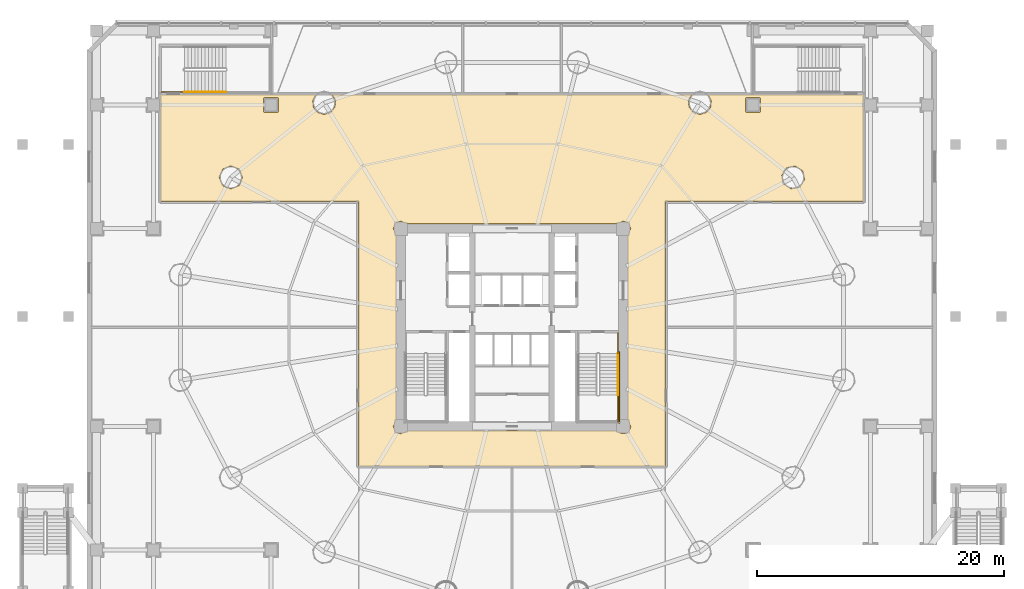
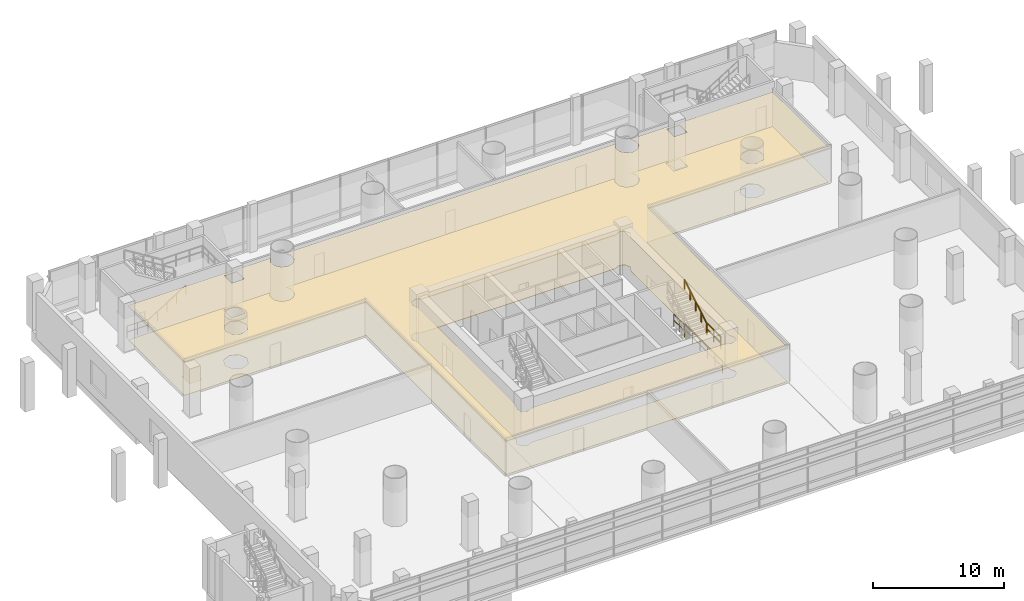
# One storey, part 30 of 36: 6 railings, 2 coverings.
"""IFC4 building model written with IfcOpenShell, lengths in metres."""

from ifc_helpers import new_model, si_unit, direction, frame, origin, origin_2d, place, context, subcontext, project, spatial, polyline, rectangle, outline, extrude, material, layer, layer_set, type_object, element, save


model = new_model("IFC4")

# Units and contexts
model_context = context("Model", 3, precision=1e-05, world=origin(), true_north=direction((-0.2419218956, 0.970295726276)))
body_context = subcontext(model_context, "Body", "Model", "MODEL_VIEW")
ifc_project = project(units=[si_unit("LENGTHUNIT", "METRE"), si_unit("AREAUNIT", "SQUARE_METRE"), si_unit("VOLUMEUNIT", "CUBIC_METRE"), si_unit("PLANEANGLEUNIT", "RADIAN"), si_unit("MASSUNIT", "GRAM", prefix="KILO")], contexts=[model_context])

# Site, building, storey
site_placement = place(None, origin())
site = spatial("IfcSite", under=ifc_project, at=site_placement, CompositionType="ELEMENT")
building_placement = place(site_placement, origin())
building = spatial("IfcBuilding", under=site, at=building_placement, Name="Cobrevalo Terracotta Tower", CompositionType="ELEMENT")
storey_placement = place(building_placement, frame((0.0, 0.0, 5.39990234375)))
storey = spatial("IfcBuildingStorey", under=building, at=storey_placement, Name="L01", CompositionType="ELEMENT", Elevation=5.39990234375)

# Coverings
ifc_material_1 = material(Name="Honed terracotta and granite tile", Category="masonry")
ifc_layer_1 = layer(ifc_material_1, 0.034912109375)
ifc_layer_set_1 = layer_set([ifc_layer_1], Name="Honed terracotta and granite tile")
covering_type_1 = type_object("IfcCoveringType", Name="Honed Terracotta & Granite Interior Flooring 35", PredefinedType="FLOORING", material=ifc_layer_set_1)
covering_1_placement = place(storey_placement, origin())
element("IfcCovering", 1, at=covering_1_placement, inside=storey, type_object=covering_type_1, Name="L01 Podium Gallery Concourse floor finish", PredefinedType="FLOORING", context=body_context, shape_type="SweptSolid", body=[
    extrude(outline(polyline([(9.6201171875, 45.580078125), (22.088134765625, 45.60009765625), (21.863525390625, 45.155029296875), (21.918212890625, 44.60009765625), (22.271728515625, 44.16943359375), (22.80517578125, 44.007568359375), (23.338623046875, 44.16943359375), (23.692138671875, 44.60009765625), (23.746826171875, 45.155029296875), (23.522216796875, 45.60009765625), (52.477783203125, 45.60009765625), (52.253173828125, 45.155029296875), (52.307861328125, 44.60009765625), (52.661376953125, 44.16943359375), (53.19482421875, 44.007568359375), (53.728271484375, 44.16943359375), (54.081787109375, 44.60009765625), (54.136474609375, 45.155029296875), (53.911865234375, 45.60009765625), (66.3798828125, 45.580078125), (66.3798828125, 37.02001953125), (50.3798828125, 37.02001953125), (50.3798828125, 15.6201171875), (25.6201171875, 15.6201171875), (25.6201171875, 37.02001953125), (9.6201171875, 37.02001953125), (9.6201171875, 45.580078125)]), holes=[polyline([(61.274169921875, 38.140869140625), (61.682373046875, 38.751953125), (61.5390625, 39.47265625), (60.927978515625, 39.880859375), (60.207275390625, 39.737548828125), (59.799072265625, 39.12646484375), (59.9423828125, 38.40576171875), (60.553466796875, 37.99755859375), (61.274169921875, 38.140869140625)]), polyline([(56.89990234375, 45.39990234375), (56.89990234375, 44.199951171875), (58.10009765625, 44.199951171875), (58.10009765625, 45.39990234375), (56.89990234375, 45.39990234375)]), polyline([(46.5322265625, 18.405029296875), (46.7626953125, 18.226806640625), (47.2373046875, 18.226806640625), (47.5732421875, 18.5625), (47.620361328125, 18.800048828125), (47.39501953125, 19.267822265625), (47.39501953125, 34.33203125), (47.620361328125, 34.800048828125), (47.438720703125, 35.23876953125), (47.0, 35.42041015625), (46.5322265625, 35.195068359375), (29.4677734375, 35.195068359375), (29.0, 35.42041015625), (28.561279296875, 35.23876953125), (28.379638671875, 34.800048828125), (28.60498046875, 34.33203125), (28.60498046875, 19.267822265625), (28.379638671875, 18.800048828125), (28.561279296875, 18.361328125), (29.0, 18.1796875), (29.4677734375, 18.405029296875), (46.5322265625, 18.405029296875)]), polyline([(17.89990234375, 44.199951171875), (19.10009765625, 44.199951171875), (19.10009765625, 45.39990234375), (17.89990234375, 45.39990234375), (17.89990234375, 44.199951171875)]), polyline([(15.938232421875, 38.26025390625), (16.219482421875, 38.939208984375), (15.938232421875, 39.6181640625), (15.25927734375, 39.8994140625), (14.580322265625, 39.6181640625), (14.29931640625, 38.939208984375), (14.580322265625, 38.26025390625), (15.25927734375, 37.97900390625), (15.938232421875, 38.26025390625)])]), origin(), (0.0, 0.0, 1.0), 0.030029296875),
])
ifc_material_2 = material(Name="Acoustic perforated gypsum ceiling", Category="gypsum")
ifc_layer_2 = layer(ifc_material_2, 0.050048828125)
ifc_layer_set_2 = layer_set([ifc_layer_2], Name="Acoustic perforated gypsum ceiling")
covering_type_2 = type_object("IfcCoveringType", Name="Perforated Acoustic Gypsum Ceiling 50", PredefinedType="CEILING", material=ifc_layer_set_2)
covering_2_placement = place(storey_placement, frame((0.0, 0.0, 3.16015625)))
element("IfcCovering", 2, at=covering_2_placement, inside=storey, type_object=covering_type_2, Name="L01 Podium Gallery Concourse acoustic ceiling", PredefinedType="CEILING", context=body_context, shape_type="SweptSolid", body=[
    extrude(outline(polyline([(9.574951171875, 45.625), (22.183349609375, 45.64501953125), (21.907958984375, 45.14599609375), (21.9599609375, 44.617431640625), (22.296875, 44.20703125), (22.80517578125, 44.052734375), (23.3134765625, 44.20703125), (23.650390625, 44.617431640625), (23.702392578125, 45.14599609375), (23.427001953125, 45.64501953125), (52.572998046875, 45.64501953125), (52.297607421875, 45.14599609375), (52.349609375, 44.617431640625), (52.6865234375, 44.20703125), (53.19482421875, 44.052734375), (53.703125, 44.20703125), (54.0400390625, 44.617431640625), (54.092041015625, 45.14599609375), (53.816650390625, 45.64501953125), (66.425048828125, 45.625), (66.425048828125, 36.97509765625), (50.425048828125, 36.97509765625), (50.425048828125, 15.574951171875), (25.574951171875, 15.574951171875), (25.574951171875, 36.97509765625), (9.574951171875, 36.97509765625), (9.574951171875, 45.625)]), holes=[polyline([(61.2490234375, 38.178466796875), (61.637939453125, 38.7607421875), (61.50146484375, 39.447509765625), (60.919189453125, 39.83642578125), (60.232421875, 39.699951171875), (59.843505859375, 39.11767578125), (59.97998046875, 38.430908203125), (60.562255859375, 38.0419921875), (61.2490234375, 38.178466796875)]), polyline([(56.945068359375, 45.35498046875), (56.945068359375, 44.2451171875), (58.054931640625, 44.2451171875), (58.054931640625, 45.35498046875), (56.945068359375, 45.35498046875)]), polyline([(46.55615234375, 18.449951171875), (46.780029296875, 18.269287109375), (47.219970703125, 18.269287109375), (47.53076171875, 18.580078125), (47.574462890625, 18.800048828125), (47.35009765625, 19.243896484375), (47.35009765625, 34.356201171875), (47.574462890625, 34.800048828125), (47.40625, 35.206298828125), (47.0, 35.37451171875), (46.55615234375, 35.14990234375), (29.44384765625, 35.14990234375), (29.0, 35.37451171875), (28.59375, 35.206298828125), (28.425537109375, 34.800048828125), (28.64990234375, 34.356201171875), (28.64990234375, 19.243896484375), (28.425537109375, 18.800048828125), (28.59375, 18.393798828125), (29.0, 18.2255859375), (29.44384765625, 18.449951171875), (46.55615234375, 18.449951171875)]), polyline([(17.945068359375, 44.2451171875), (19.054931640625, 44.2451171875), (19.054931640625, 45.35498046875), (17.945068359375, 45.35498046875), (17.945068359375, 44.2451171875)]), polyline([(15.90625, 38.292236328125), (16.174072265625, 38.939208984375), (15.90625, 39.586181640625), (15.25927734375, 39.85400390625), (14.6123046875, 39.586181640625), (14.344482421875, 38.939208984375), (14.6123046875, 38.292236328125), (15.25927734375, 38.0244140625), (15.90625, 38.292236328125)])]), origin(), (0.0, 0.0, 1.0), 0.050048828125),
])

# Railings
ifc_material_3 = material(Name="Brushed stainless steel", Category="steel")
railing_type_1 = type_object("IfcRailingType", Name="Stainless Steel Stair Handrail 900", PredefinedType="HANDRAIL", material=ifc_material_3)
railing_1_placement = place(storey_placement, frame((46.574951171875, 21.340087890625, 2.423095703125)))
element("IfcRailing", 3, at=railing_1_placement, inside=storey, type_object=railing_type_1, Name="L01 ST-2 stair handrail 2", PredefinedType="HANDRAIL", context=body_context, shape_type="SweptSolid", body=[
    extrude(rectangle(XDim=0.048095703125, YDim=0.048095703125, at=origin_2d()), frame((0.0, 0.0, 0.8759765625), z_axis=(0.0, 0.850606129759, 0.525803396734), x_axis=(-1.0, 0.0, 0.0)), (0.0, 0.0, 1.0), 3.949951171875),
    extrude(rectangle(XDim=0.0419921875, YDim=0.0419921875, at=origin_2d()), origin(), (0.0, 0.0, 1.0), 0.851806640625),
    extrude(rectangle(XDim=0.0419921875, YDim=0.0419921875, at=origin_2d()), frame((0.0, 0.83984375, 0.519287109375)), (0.0, 0.0, 1.0), 0.851806640625),
    extrude(rectangle(XDim=0.0419921875, YDim=0.0419921875, at=origin_2d()), frame((0.0, 1.679931640625, 1.03857421875)), (0.0, 0.0, 1.0), 0.851806640625),
    extrude(rectangle(XDim=0.0419921875, YDim=0.0419921875, at=origin_2d()), frame((0.0, 2.52001953125, 1.5576171875)), (0.0, 0.0, 1.0), 0.851806640625),
    extrude(rectangle(XDim=0.0419921875, YDim=0.0419921875, at=origin_2d()), frame((0.0, 3.35986328125, 2.076904296875)), (0.0, 0.0, 1.0), 0.851806640625),
])
railing_2_placement = place(storey_placement, frame((11.5, 45.85009765625, 0.173095703125)))
element("IfcRailing", 4, at=railing_2_placement, inside=storey, type_object=railing_type_1, Name="L01 ST-P1 stair handrail 1", PredefinedType="HANDRAIL", context=body_context, shape_type="SweptSolid", body=[
    extrude(rectangle(XDim=0.048095703125, YDim=0.048095703125, at=origin_2d()), frame((0.0, 0.0, 0.8759765625), z_axis=(0.850623216509, 0.0, 0.525775754039), x_axis=(0.0, 1.0, 0.0)), (0.0, 0.0, 1.0), 3.9501953125),
    extrude(rectangle(XDim=0.0419921875, YDim=0.0419921875, at=origin_2d()), origin(), (0.0, 0.0, 1.0), 0.851806640625),
    extrude(rectangle(XDim=0.0419921875, YDim=0.0419921875, at=origin_2d()), frame((0.840087890625, 0.0, 0.519287109375)), (0.0, 0.0, 1.0), 0.851806640625),
    extrude(rectangle(XDim=0.0419921875, YDim=0.0419921875, at=origin_2d()), frame((1.68017578125, 0.0, 1.03857421875)), (0.0, 0.0, 1.0), 0.851806640625),
    extrude(rectangle(XDim=0.0419921875, YDim=0.0419921875, at=origin_2d()), frame((2.52001953125, 0.0, 1.5576171875)), (0.0, 0.0, 1.0), 0.851806640625),
    extrude(rectangle(XDim=0.0419921875, YDim=0.0419921875, at=origin_2d()), frame((3.360107421875, 0.0, 2.076904296875)), (0.0, 0.0, 1.0), 0.851806640625),
])
ifc_material_4 = material(Name="Painted galvanized steel", Category="steel")
railing_type_2 = type_object("IfcRailingType", Name="Stair Well Guard Balustrade 1150", PredefinedType="GUARDRAIL", material=ifc_material_4)
railing_3_placement = place(storey_placement, frame((46.574951171875, 21.340087890625, 2.25)))
element("IfcRailing", 5, at=railing_3_placement, inside=storey, type_object=railing_type_2, Name="L01 ST-2 stair guard 4", PredefinedType="GUARDRAIL", context=body_context, shape_type="SweptSolid", body=[
    extrude(rectangle(XDim=0.048095703125, YDim=0.048095703125, at=origin_2d()), frame((0.0, 0.0, 1.1259765625), z_axis=(0.0, -1.0, 0.0), x_axis=(1.0, 0.0, 0.0)), (0.0, 0.0, 1.0), 2.1650390625),
    extrude(rectangle(XDim=0.048095703125, YDim=0.048095703125, at=origin_2d()), frame((0.0, 0.0, 0.574951171875), z_axis=(0.0, -1.0, 0.0), x_axis=(1.0, 0.0, 0.0)), (0.0, 0.0, 1.0), 2.1650390625),
    extrude(rectangle(XDim=0.0419921875, YDim=0.0419921875, at=origin_2d()), origin(), (0.0, 0.0, 1.0), 1.101806640625),
    extrude(rectangle(XDim=0.0419921875, YDim=0.0419921875, at=origin_2d()), frame((0.0, -1.08251953125, 0.0)), (0.0, 0.0, 1.0), 1.101806640625),
    extrude(rectangle(XDim=0.0419921875, YDim=0.0419921875, at=origin_2d()), frame((0.0, -2.1650390625, 0.0)), (0.0, 0.0, 1.0), 1.101806640625),
])
railing_4_placement = place(storey_placement, frame((46.574951171875, 26.35009765625, 0.0)))
element("IfcRailing", 6, at=railing_4_placement, inside=storey, type_object=railing_type_2, Name="L01 ST-2 stair guard 9", PredefinedType="GUARDRAIL", context=body_context, shape_type="SweptSolid", body=[
    extrude(rectangle(XDim=0.048095703125, YDim=0.048095703125, at=origin_2d()), frame((0.0, 0.0, 1.1259765625), z_axis=(0.0, -1.0, 0.0), x_axis=(1.0, 0.0, 0.0)), (0.0, 0.0, 1.0), 1.650146484375),
    extrude(rectangle(XDim=0.048095703125, YDim=0.048095703125, at=origin_2d()), frame((0.0, 0.0, 0.574951171875), z_axis=(0.0, -1.0, 0.0), x_axis=(1.0, 0.0, 0.0)), (0.0, 0.0, 1.0), 1.650146484375),
    extrude(rectangle(XDim=0.0419921875, YDim=0.0419921875, at=origin_2d()), origin(), (0.0, 0.0, 1.0), 1.101806640625),
    extrude(rectangle(XDim=0.0419921875, YDim=0.0419921875, at=origin_2d()), frame((0.0, -0.8251953125, 0.0)), (0.0, 0.0, 1.0), 1.101806640625),
    extrude(rectangle(XDim=0.0419921875, YDim=0.0419921875, at=origin_2d()), frame((0.0, -1.650146484375, 0.0)), (0.0, 0.0, 1.0), 1.101806640625),
])
railing_5_placement = place(storey_placement, frame((46.675048828125, 24.800048828125, 0.0)))
element("IfcRailing", 7, at=railing_5_placement, inside=storey, type_object=railing_type_2, Name="L01 ST-2 stair guard 11", PredefinedType="GUARDRAIL", context=body_context, shape_type="SweptSolid", body=[
    extrude(rectangle(XDim=0.048095703125, YDim=0.048095703125, at=origin_2d()), frame((0.0, 0.0, 1.1259765625), z_axis=(0.0, -1.0, 0.0), x_axis=(1.0, 0.0, 0.0)), (0.0, 0.0, 1.0), 5.72509765625),
    extrude(rectangle(XDim=0.048095703125, YDim=0.048095703125, at=origin_2d()), frame((0.0, 0.0, 0.574951171875), z_axis=(0.0, -1.0, 0.0), x_axis=(1.0, 0.0, 0.0)), (0.0, 0.0, 1.0), 5.72509765625),
    extrude(rectangle(XDim=0.0419921875, YDim=0.0419921875, at=origin_2d()), origin(), (0.0, 0.0, 1.0), 1.101806640625),
    extrude(rectangle(XDim=0.0419921875, YDim=0.0419921875, at=origin_2d()), frame((0.0, -1.14501953125, 0.0)), (0.0, 0.0, 1.0), 1.101806640625),
    extrude(rectangle(XDim=0.0419921875, YDim=0.0419921875, at=origin_2d()), frame((0.0, -2.2900390625, 0.0)), (0.0, 0.0, 1.0), 1.101806640625),
    extrude(rectangle(XDim=0.0419921875, YDim=0.0419921875, at=origin_2d()), frame((0.0, -3.43505859375, 0.0)), (0.0, 0.0, 1.0), 1.101806640625),
    extrude(rectangle(XDim=0.0419921875, YDim=0.0419921875, at=origin_2d()), frame((0.0, -4.580078125, 0.0)), (0.0, 0.0, 1.0), 1.101806640625),
    extrude(rectangle(XDim=0.0419921875, YDim=0.0419921875, at=origin_2d()), frame((0.0, -5.72509765625, 0.0)), (0.0, 0.0, 1.0), 1.101806640625),
])
railing_6_placement = place(storey_placement, frame((9.64990234375, 45.85009765625, 0.0)))
element("IfcRailing", 8, at=railing_6_placement, inside=storey, type_object=railing_type_2, Name="L01 ST-P1 stair guard 8", PredefinedType="GUARDRAIL", context=body_context, shape_type="SweptSolid", body=[
    extrude(rectangle(XDim=0.048095703125, YDim=0.048095703125, at=origin_2d()), frame((0.0, 0.0, 1.1259765625), z_axis=(1.0, 0.0, 0.0), x_axis=(0.0, 1.0, 0.0)), (0.0, 0.0, 1.0), 1.85009765625),
    extrude(rectangle(XDim=0.048095703125, YDim=0.048095703125, at=origin_2d()), frame((0.0, 0.0, 0.574951171875), z_axis=(1.0, 0.0, 0.0), x_axis=(0.0, 1.0, 0.0)), (0.0, 0.0, 1.0), 1.85009765625),
    extrude(rectangle(XDim=0.0419921875, YDim=0.0419921875, at=origin_2d()), origin(), (0.0, 0.0, 1.0), 1.101806640625),
    extrude(rectangle(XDim=0.0419921875, YDim=0.0419921875, at=origin_2d()), frame((0.925048828125, 0.0, 0.0)), (0.0, 0.0, 1.0), 1.101806640625),
    extrude(rectangle(XDim=0.0419921875, YDim=0.0419921875, at=origin_2d()), frame((1.85009765625, 0.0, 0.0)), (0.0, 0.0, 1.0), 1.101806640625),
])

save(model, "model.ifc")
